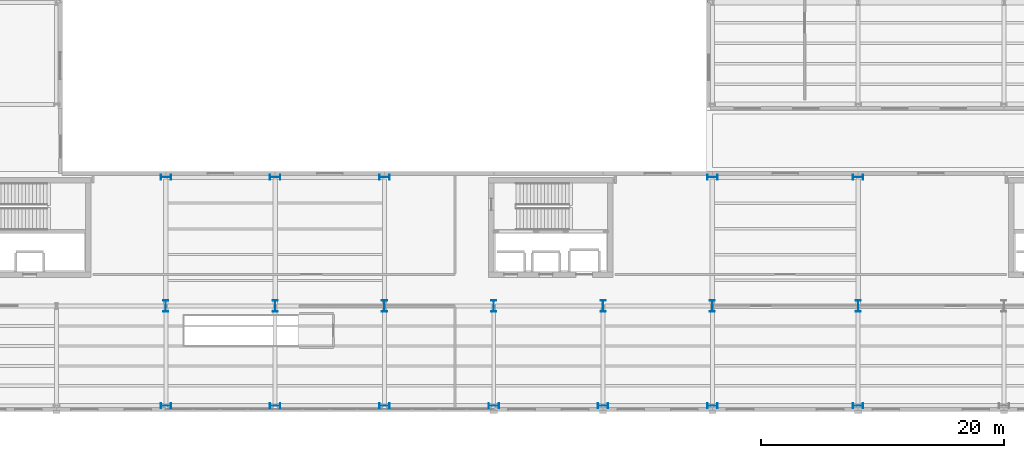
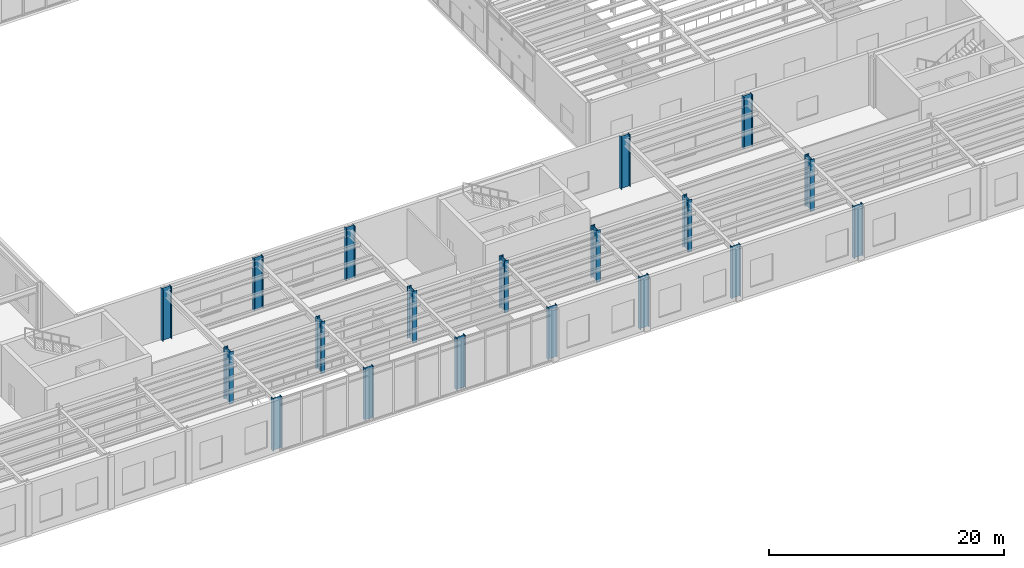
# One storey, part 5 of 98: 19 columns.
"""IFC4 building model written with IfcOpenShell, lengths in metres."""

from ifc_helpers import new_model, si_unit, direction, frame, origin, origin_2d, place, context, subcontext, project, spatial, i_section, extrude, material, material_profile, profile_set, type_object, element, save


model = new_model("IFC4")

# Units and contexts
model_context = context("Model", 3, precision=1e-05, world=origin(), true_north=direction((0.0, 1.0)))
body_context = subcontext(model_context, "Body", "Model", "MODEL_VIEW")
ifc_project = project(units=[si_unit("LENGTHUNIT", "METRE"), si_unit("AREAUNIT", "SQUARE_METRE"), si_unit("VOLUMEUNIT", "CUBIC_METRE"), si_unit("PLANEANGLEUNIT", "RADIAN"), si_unit("MASSUNIT", "GRAM", prefix="KILO")], contexts=[model_context])

# Site, building, storey
site_placement = place(None, origin())
site = spatial("IfcSite", under=ifc_project, at=site_placement, CompositionType="ELEMENT")
building_placement = place(site_placement, origin())
building = spatial("IfcBuilding", under=site, at=building_placement, Name="Sollismere Congress Hotel", CompositionType="ELEMENT")
storey_placement = place(building_placement, frame((0.0, 0.0, 5.39990234375)))
storey = spatial("IfcBuildingStorey", under=building, at=storey_placement, Name="L01", CompositionType="ELEMENT", Elevation=5.39990234375)

# Columns
ifc_material = material(Name="Steel ASTM A992 Grade 50", Category="steel")
ifc_material_profile_1 = material_profile(ifc_material, i_section(OverallWidth=0.404052734375, OverallDepth=0.868896484375, WebThickness=0.02099609375, FlangeThickness=0.03564453125, at=origin_2d()), Name="W33X241")
ifc_profile_set_1 = profile_set([ifc_material_profile_1], Name="Steel ASTM A992 Grade 50")
column_type_1 = type_object("IfcColumnType", Name="COL-W33", PredefinedType="COLUMN", material=ifc_profile_set_1)
for number, where, z_axis, x_axis, name in (
    (1, (67.0, 0.0, 0.0), (0.0, 0.0, 1.0), (0.0, 1.0, 0.0), "Column CL-L01-278"),
    (2, (67.0, 18.800048828125, 0.0), (0.0, 0.0, 1.0), (0.0, 1.0, 0.0), "Column CL-L01-300"),
    (3, (76.0, 0.0, 0.0), (0.0, 0.0, 1.0), (0.0, 1.0, 0.0), "Column CL-L01-342"),
    (4, (76.0, 18.800048828125, 0.0), (0.0, 0.0, 1.0), (0.0, 1.0, 0.0), "Column CL-L01-364"),
    (5, (85.0, 0.0, 0.0), (0.0, 0.0, 1.0), (0.0, 1.0, 0.0), "Column CL-L01-395"),
    (6, (85.0, 18.800048828125, 0.0), (0.0, 0.0, 1.0), (0.0, 1.0, 0.0), "Column CL-L01-421"),
    (7, (94.0, 0.0, 0.0), (0.0, 0.0, 1.0), (0.0, 1.0, 0.0), "Column CL-L01-454"),
    (8, (103.0, 0.0, 0.0), (0.0, 0.0, 1.0), (0.0, 1.0, 0.0), "Column CL-L01-512"),
    (9, (112.0, 0.0, 0.0), (0.0, 0.0, 1.0), (0.0, 1.0, 0.0), "Column CL-L01-570"),
    (10, (112.0, 18.800048828125, 0.0), (0.0, 0.0, 1.0), (0.0, 1.0, 0.0), "Column CL-L01-596"),
    (11, (124.0, 0.0, 0.0), (0.0, 0.0, 1.0), (0.0, 1.0, 0.0), "Column CL-L01-648"),
    (12, (124.0, 18.800048828125, 0.0), (0.0, 0.0, 1.0), (0.0, 1.0, 0.0), "Column CL-L01-674"),
):
    element("IfcColumn", number, at=place(storey_placement, frame(where, z_axis=z_axis, x_axis=x_axis)), inside=storey, type_object=column_type_1, Name=name, PredefinedType="COLUMN", context=body_context, shape_type="SweptSolid", body=[
        extrude(i_section(OverallWidth=0.404052734375, OverallDepth=0.868896484375, WebThickness=0.02099609375, FlangeThickness=0.03564453125, at=origin_2d()), origin(), (0.0, 0.0, 1.0), 5.400146484375),
    ])
ifc_material_profile_2 = material_profile(ifc_material, i_section(OverallWidth=0.424072265625, OverallDepth=0.93994140625, WebThickness=0.02392578125, FlangeThickness=0.042724609375, at=origin_2d()), Name="W36X302")
ifc_profile_set_2 = profile_set([ifc_material_profile_2], Name="Steel ASTM A992 Grade 50")
column_type_2 = type_object("IfcColumnType", Name="COL-W36", PredefinedType="COLUMN", material=ifc_profile_set_2)
for number, where, z_axis, x_axis, name in (
    (13, (67.0, 8.199951171875, 0.0), (0.0, 0.0, 1.0), (1.0, 0.0, 0.0), "Column CL-L01-289"),
    (14, (76.0, 8.199951171875, 0.0), (0.0, 0.0, 1.0), (1.0, 0.0, 0.0), "Column CL-L01-353"),
    (15, (85.0, 8.199951171875, 0.0), (0.0, 0.0, 1.0), (1.0, 0.0, 0.0), "Column CL-L01-408"),
    (16, (94.0, 8.199951171875, 0.0), (0.0, 0.0, 1.0), (1.0, 0.0, 0.0), "Column CL-L01-467"),
    (17, (103.0, 8.199951171875, 0.0), (0.0, 0.0, 1.0), (1.0, 0.0, 0.0), "Column CL-L01-525"),
    (18, (112.0, 8.199951171875, 0.0), (0.0, 0.0, 1.0), (1.0, 0.0, 0.0), "Column CL-L01-583"),
    (19, (124.0, 8.199951171875, 0.0), (0.0, 0.0, 1.0), (1.0, 0.0, 0.0), "Column CL-L01-661"),
):
    element("IfcColumn", number, at=place(storey_placement, frame(where, z_axis=z_axis, x_axis=x_axis)), inside=storey, type_object=column_type_2, Name=name, PredefinedType="COLUMN", context=body_context, shape_type="SweptSolid", body=[
        extrude(i_section(OverallWidth=0.424072265625, OverallDepth=0.93994140625, WebThickness=0.02392578125, FlangeThickness=0.042724609375, at=origin_2d()), origin(), (0.0, 0.0, 1.0), 5.400146484375),
    ])

save(model, "model.ifc")
